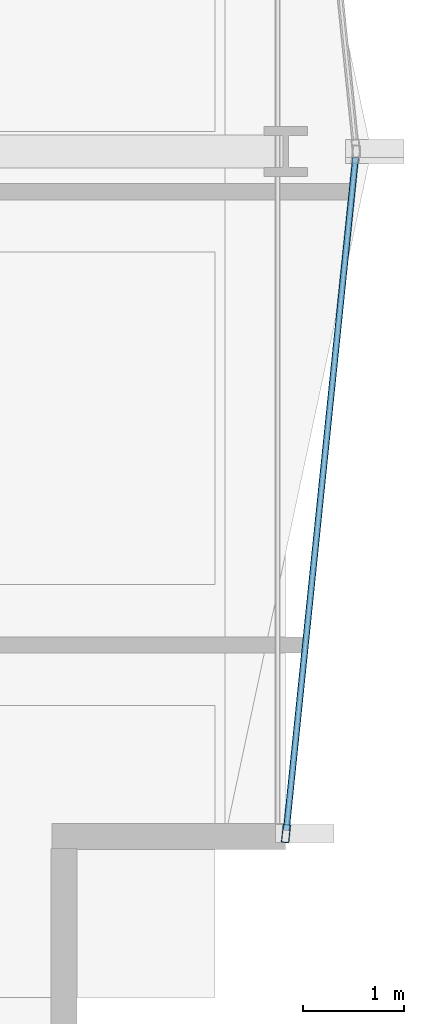
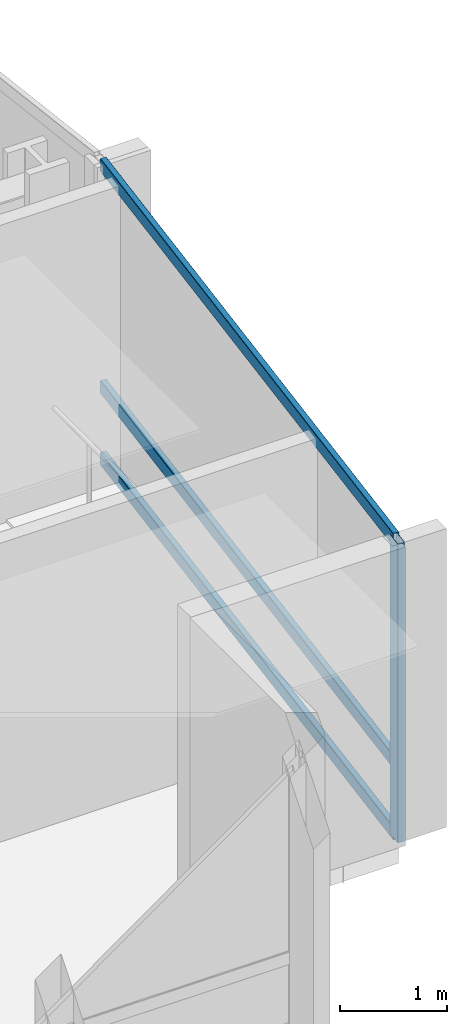
# One storey, part 13 of 34: 4 members, 1 element without a shape of its own.
"""IFC4 building model written with IfcOpenShell, lengths in metres."""

import ifcopenshell
import ifcopenshell.guid

model = None  # the IFC model being written
_history = None  # IfcOwnerHistory: only IFC2X3 demands one
_inside = {}  # id of a spatial element -> (the spatial element, [elements in it])
_under = {}  # id of a project, library or spatial element -> (it, [spatial elements below it])
_declared = {}  # id of a project -> (the project, [libraries it declares])
_typed = {}  # id of a type object -> (the type object, [elements of that type])
_made_of = {}  # id of a material, layer set ... -> (it, [elements and type objects made of it])


def new_model(schema):
    """Start an empty IFC model of exactly this schema.

    Asked for "IFC4X3", IfcOpenShell would pick the latest addendum, in which some entities
    have other attributes; the version numbers below select the first issue.
    IFC2X3 requires an IfcOwnerHistory on every rooted entity: one is made here for all.
    """
    global model, _history
    if schema == "IFC4X3":
        model = ifcopenshell.file(schema_version=(4, 3, 0, 0))
    else:
        model = ifcopenshell.file(schema=schema)
    _inside.clear()
    _under.clear()
    _declared.clear()
    _typed.clear()
    _made_of.clear()
    _history = None
    if model.schema == "IFC2X3":
        org = make("IfcOrganization", Name="unknown")
        user = make(
            "IfcPersonAndOrganization",
            ThePerson=make("IfcPerson", FamilyName="unknown"),
            TheOrganization=org,
        )
        app = make(
            "IfcApplication",
            ApplicationDeveloper=org,
            Version="unknown",
            ApplicationFullName="unknown",
            ApplicationIdentifier="unknown",
        )
        _history = make(
            "IfcOwnerHistory",
            OwningUser=user,
            OwningApplication=app,
            ChangeAction="ADDED",
            CreationDate=0,
        )
    return model


def make(cls, **values):
    """One entity of the class cls with the attributes given. An attribute that is None is left unset."""
    return model.create_entity(
        cls, **{name: value for name, value in values.items() if value is not None}
    )


def rooted(cls, **values):
    """An entity with a GlobalId (a new one), such as an element, a storey or a relation."""
    return make(cls, GlobalId=ifcopenshell.guid.new(), OwnerHistory=_history, **values)


def si_unit(unit_type, name, prefix=None):
    """IfcSIUnit, for example si_unit("LENGTHUNIT", "METRE", prefix="MILLI")."""
    return make("IfcSIUnit", UnitType=unit_type, Prefix=prefix, Name=name)


def assignment(units):
    """IfcUnitAssignment: the units of a project."""
    return None if units is None else make("IfcUnitAssignment", Units=units)


def point(xyz):
    """IfcCartesianPoint."""
    return None if xyz is None else make("IfcCartesianPoint", Coordinates=xyz)


def direction(xyz):
    """IfcDirection."""
    return None if xyz is None else make("IfcDirection", DirectionRatios=xyz)


def frame(location, z_axis=None, x_axis=None):
    """IfcAxis2Placement3D, a coordinate frame: its origin and axes. An axis left out is left unset."""
    return make(
        "IfcAxis2Placement3D",
        Location=point(location),
        Axis=direction(z_axis),
        RefDirection=direction(x_axis),
    )


def frame_2d(location, x_axis=None):
    """IfcAxis2Placement2D, a coordinate frame in the plane: its origin and x axis."""
    return make(
        "IfcAxis2Placement2D", Location=point(location), RefDirection=direction(x_axis)
    )


def origin():
    """The frame at (0, 0, 0) with its axes left unset."""
    return frame((0.0, 0.0, 0.0))


def origin_2d():
    """The frame at (0, 0) in the plane with its x axis left unset."""
    return frame_2d((0.0, 0.0))


def place(relative_to, where):
    """IfcLocalPlacement: puts the frame where relative to a parent placement (None: the world)."""
    return make(
        "IfcLocalPlacement", PlacementRelTo=relative_to, RelativePlacement=where
    )


def context(
    kind, dimensions, precision=None, world=None, true_north=None, identifier=None
):
    """IfcGeometricRepresentationContext, for example the 3D "Model" context."""
    return make(
        "IfcGeometricRepresentationContext",
        ContextIdentifier=identifier,
        ContextType=kind,
        CoordinateSpaceDimension=dimensions,
        Precision=precision,
        WorldCoordinateSystem=world,
        TrueNorth=true_north,
    )


def subcontext(parent, identifier, kind, view, scale=None):
    """IfcGeometricRepresentationSubContext, for example "Body" below "Model"."""
    return make(
        "IfcGeometricRepresentationSubContext",
        ContextIdentifier=identifier,
        ContextType=kind,
        ParentContext=parent,
        TargetScale=scale,
        TargetView=view,
    )


def project(units=None, contexts=None):
    """IfcProject with its units and contexts."""
    return rooted(
        "IfcProject",
        Name="project",
        RepresentationContexts=contexts,
        UnitsInContext=assignment(units),
    )


def spatial(cls, under=None, at=None, **own):
    """A site, building, storey or space (cls), placed at a placement, below another one or the project."""
    s = rooted(cls, ObjectPlacement=at, **own)
    if under is not None:
        _under.setdefault(under.id(), (under, []))[1].append(s)
    return s


def profile(cls, at=None, kind="AREA", **sizes):
    """A parametric profile (cls). Its sizes go by their IFC names, for example OverallWidth=200.0."""
    return make(cls, ProfileType=kind, Position=at, **sizes)


def hollow_rectangle(**sizes):
    """IfcRectangleHollowProfileDef."""
    return profile("IfcRectangleHollowProfileDef", **sizes)


def extrude(swept, where, along, depth):
    """IfcExtrudedAreaSolid: the profile swept, set in the frame where, extruded along a direction by depth."""
    return make(
        "IfcExtrudedAreaSolid",
        SweptArea=swept,
        Position=where,
        ExtrudedDirection=direction(along),
        Depth=depth,
    )


def shape(context_of_items, identifier, shape_type, items):
    """IfcShapeRepresentation: the items that make up one representation, for example the "Body"."""
    return make(
        "IfcShapeRepresentation",
        ContextOfItems=context_of_items,
        RepresentationIdentifier=identifier,
        RepresentationType=shape_type,
        Items=items,
    )


def material(Name=None, Category=None):
    """IfcMaterial."""
    return make("IfcMaterial", Name=Name, Category=Category)


def layer(
    of_material, thickness, ventilated=None, Name=None, Category=None, Priority=None
):
    """IfcMaterialLayer: one layer of a wall or slab, of a material (None: an air gap)."""
    return make(
        "IfcMaterialLayer",
        Material=of_material,
        LayerThickness=thickness,
        IsVentilated=ventilated,
        Name=Name,
        Category=Category,
        Priority=Priority,
    )


def layer_set(layers, Name=None):
    """IfcMaterialLayerSet."""
    return make("IfcMaterialLayerSet", MaterialLayers=layers, LayerSetName=Name)


def material_profile(
    of_material, cross_section, Name=None, Category=None, Priority=None
):
    """IfcMaterialProfile: a cross section and its material."""
    return make(
        "IfcMaterialProfile",
        Name=Name,
        Material=of_material,
        Profile=cross_section,
        Priority=Priority,
        Category=Category,
    )


def profile_set(profiles, Name=None, composite=None):
    """IfcMaterialProfileSet."""
    return make(
        "IfcMaterialProfileSet",
        Name=Name,
        MaterialProfiles=profiles,
        CompositeProfile=composite,
    )


def made_of(thing, what):
    """Note that an element or type object is made of a material, layer set ...; save() writes the relation."""
    if what is not None:
        _made_of.setdefault(what.id(), (what, []))[1].append(thing)
    return thing


def type_object(cls, material=None, **own):
    """A type object (cls), such as IfcWallType, which elements share."""
    return made_of(rooted(cls, **own), material)


def element(
    cls,
    number,
    at=None,
    inside=None,
    cuts=None,
    type_object=None,
    material=None,
    context=None,
    identifier="Body",
    shape_type=None,
    held_by="IfcProductDefinitionShape",
    body=None,
    shapes=None,
    **own,
):
    """One element of the class cls, such as IfcWall. Its Tag is "e" and its number.

    at: its placement. inside: the storey or other place that contains it. cuts: it is an
    opening in that element (IfcRelVoidsElement). A single representation is given by context,
    identifier, shape_type and body (its items); several are given by shapes. held_by: the class
    of the entity that holds the representations. save() writes the other relations.
    """
    e = rooted(cls, Tag="e%d" % number, ObjectPlacement=at, **own)
    if body is not None:
        shapes = [shape(context, identifier, shape_type, body)]
    if shapes is not None:
        e.Representation = make(held_by, Representations=shapes)
    if inside is not None:
        _inside.setdefault(inside.id(), (inside, []))[1].append(e)
    if cuts is not None:
        rooted(
            "IfcRelVoidsElement", RelatingBuildingElement=cuts, RelatedOpeningElement=e
        )
    if type_object is not None:
        _typed.setdefault(type_object.id(), (type_object, []))[1].append(e)
    return made_of(e, material)


def aggregate(whole, parts):
    """IfcRelAggregates: a whole, such as a stair, and the parts it consists of."""
    return rooted("IfcRelAggregates", RelatingObject=whole, RelatedObjects=parts)


def save(model, path):
    """Write the relations noted so far, then the file.

    IfcRelAggregates (storeys below a building ...), IfcRelContainedInSpatialStructure (elements
    in a storey), IfcRelDefinesByType, IfcRelAssociatesMaterial and IfcRelDeclares: one each for
    every whole, place, type object, material and project.
    """
    for whole, parts in _under.values():
        aggregate(whole, parts)
    for where, things in _inside.values():
        rooted(
            "IfcRelContainedInSpatialStructure",
            RelatedElements=things,
            RelatingStructure=where,
        )
    for kind, things in _typed.values():
        rooted("IfcRelDefinesByType", RelatedObjects=things, RelatingType=kind)
    for what, things in _made_of.values():
        rooted("IfcRelAssociatesMaterial", RelatedObjects=things, RelatingMaterial=what)
    for by, libraries in _declared.values():
        rooted("IfcRelDeclares", RelatingContext=by, RelatedDefinitions=libraries)
    model.write(path)


model = new_model("IFC4")

# Units and contexts
model_context = context("Model", 3, precision=1e-05, world=origin(), true_north=direction((0.0, 1.0)))
body_context = subcontext(model_context, "Body", "Model", "MODEL_VIEW")
ifc_project = project(units=[si_unit("LENGTHUNIT", "METRE"), si_unit("AREAUNIT", "SQUARE_METRE"), si_unit("VOLUMEUNIT", "CUBIC_METRE"), si_unit("PLANEANGLEUNIT", "RADIAN"), si_unit("MASSUNIT", "GRAM", prefix="KILO")], contexts=[model_context])

# Site, building, storey
site_placement = place(None, origin())
site = spatial("IfcSite", under=ifc_project, at=site_placement, CompositionType="ELEMENT")
building_placement = place(site_placement, origin())
building = spatial("IfcBuilding", under=site, at=building_placement, Name="Solvaryn Broadcast Tower", CompositionType="ELEMENT")
storey_placement = place(building_placement, frame((0.0, 0.0, 54.5)))
storey = spatial("IfcBuildingStorey", under=building, at=storey_placement, Name="L12", CompositionType="ELEMENT", Elevation=54.5)

# Curtain wall, members
ifc_material_1 = material(Name="Aluminium and Terracotta Unitised Curtain Wall", Category="masonry")
ifc_layer = layer(ifc_material_1, 0.199951171875)
ifc_layer_set = layer_set([ifc_layer], Name="CW-SYS2-LOWMID")
curtain_wall_type = type_object("IfcCurtainWallType", Name="CW-SYS2-LOWMID", PredefinedType="NOTDEFINED", material=ifc_layer_set)
curtain_wall_placement = place(storey_placement, origin())
curtain_wall = element("IfcCurtainWall", 1, at=curtain_wall_placement, inside=storey, type_object=curtain_wall_type, Name="L12 Curtain Wall ET2", PredefinedType="NOTDEFINED")
ifc_material_2 = material(Name="Anodised Aluminium 6063-T6", Category="aluminium")
ifc_material_profile_1 = material_profile(ifc_material_2, hollow_rectangle(XDim=0.074951171875, YDim=0.179931640625, WallThickness=0.00390625, InnerFilletRadius=0.00390625, OuterFilletRadius=0.008056640625, at=origin_2d()))
ifc_profile_set_1 = profile_set([ifc_material_profile_1], Name="Anodised Aluminium 6063-T6")
member_type_1 = type_object("IfcMemberType", Name="CW-MUL-180", PredefinedType="MULLION", material=ifc_profile_set_1)
member_1_placement = place(storey_placement, frame((63.003173828125, 11.229736328125, 0.0), z_axis=(0.0, 0.0, 1.0), x_axis=(0.99474329889, -0.10240004548, 0.0)))
member_1 = element("IfcMember", 2, at=member_1_placement, type_object=member_type_1, Name="CWS2 mullion 2", PredefinedType="MULLION", context=body_context, shape_type="SweptSolid", body=[
    extrude(hollow_rectangle(XDim=0.074951171875, YDim=0.179931640625, WallThickness=0.00390625, InnerFilletRadius=0.00390625, OuterFilletRadius=0.008056640625, at=origin_2d()), origin(), (0.0, 0.0, 1.0), 3.419921875),
])
ifc_material_3 = material(Name="Anodised Aluminium 6063-T6", Category="aluminium")
ifc_material_profile_2 = material_profile(ifc_material_3, hollow_rectangle(XDim=0.06494140625, YDim=0.14990234375, WallThickness=0.00390625, InnerFilletRadius=0.00390625, OuterFilletRadius=0.008056640625, at=origin_2d()))
ifc_profile_set_2 = profile_set([ifc_material_profile_2], Name="Anodised Aluminium 6063-T6")
member_type_2 = type_object("IfcMemberType", Name="CW-TRN-150", PredefinedType="USERDEFINED", material=ifc_profile_set_2)
member_2_placement = place(storey_placement, frame((63.69384765625, 17.9404296875, 0.030029296875), z_axis=(-0.102404277363, -0.994742863245, 0.0), x_axis=(0.994742863245, -0.102404277363, 0.0)))
member_2 = element("IfcMember", 3, at=member_2_placement, type_object=member_type_2, Name="CWS2 transom 1.1", ObjectType="TRANSOM", PredefinedType="USERDEFINED", context=body_context, shape_type="SweptSolid", body=[
    extrude(hollow_rectangle(XDim=0.06494140625, YDim=0.14990234375, WallThickness=0.00390625, InnerFilletRadius=0.00390625, OuterFilletRadius=0.008056640625, at=origin_2d()), origin(), (0.0, 0.0, 1.0), 6.716064453125),
])
member_3_placement = place(storey_placement, frame((63.69384765625, 17.9404296875, 0.85009765625), z_axis=(-0.102404277363, -0.994742863245, 0.0), x_axis=(0.994742863245, -0.102404277363, 0.0)))
member_3 = element("IfcMember", 4, at=member_3_placement, type_object=member_type_2, Name="CWS2 transom 1.2", ObjectType="TRANSOM", PredefinedType="USERDEFINED", context=body_context, shape_type="SweptSolid", body=[
    extrude(hollow_rectangle(XDim=0.06494140625, YDim=0.14990234375, WallThickness=0.00390625, InnerFilletRadius=0.00390625, OuterFilletRadius=0.008056640625, at=origin_2d()), origin(), (0.0, 0.0, 1.0), 6.716064453125),
])
member_4_placement = place(storey_placement, frame((63.69384765625, 17.9404296875, 3.389892578125), z_axis=(-0.102404277363, -0.994742863245, 0.0), x_axis=(0.994742863245, -0.102404277363, 0.0)))
member_4 = element("IfcMember", 5, at=member_4_placement, type_object=member_type_2, Name="CWS2 transom 1.3", ObjectType="TRANSOM", PredefinedType="USERDEFINED", context=body_context, shape_type="SweptSolid", body=[
    extrude(hollow_rectangle(XDim=0.06494140625, YDim=0.14990234375, WallThickness=0.00390625, InnerFilletRadius=0.00390625, OuterFilletRadius=0.008056640625, at=origin_2d()), origin(), (0.0, 0.0, 1.0), 6.716064453125),
])
aggregate(curtain_wall, [member_1, member_2, member_3, member_4])

save(model, "model.ifc")
